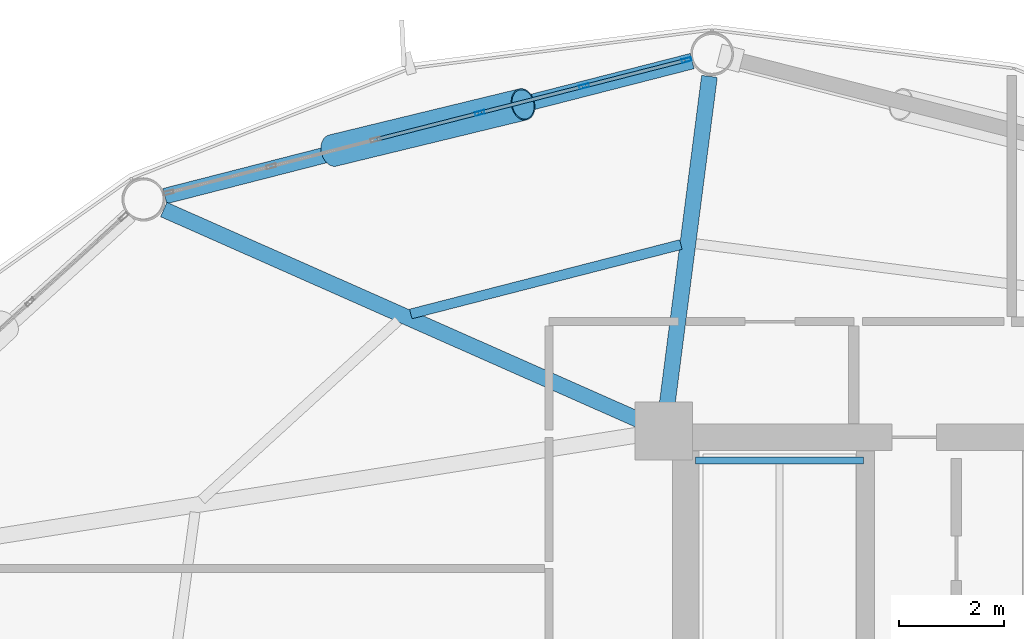
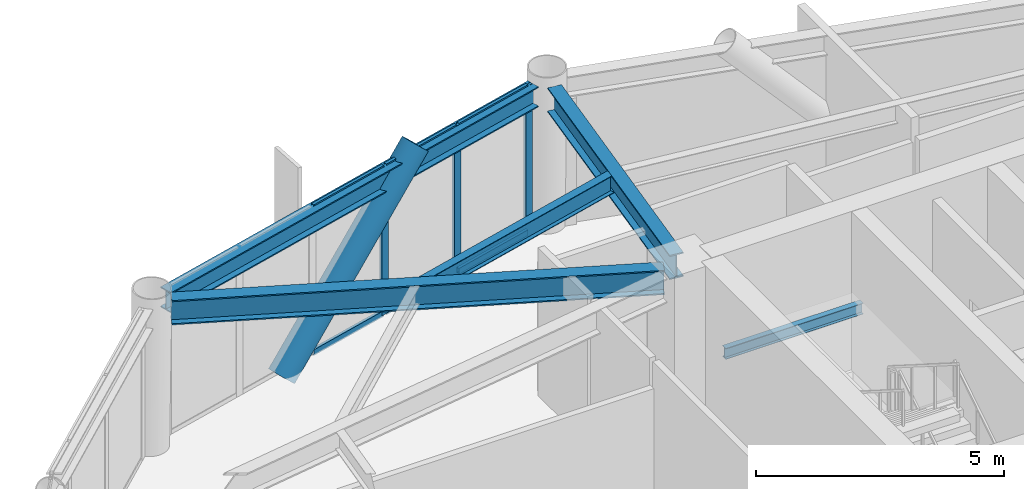
# One storey, part 16 of 25: 10 members, 5 beams, 1 element without a shape of its own.
"""IFC4 building model written with IfcOpenShell, lengths in metres."""

from ifc_helpers import new_model, si_unit, direction, frame, origin, origin_2d, place, context, subcontext, project, spatial, hollow_rectangle, hollow_circle, i_section, extrude, material, layer, layer_set, material_profile, profile_set, type_object, element, aggregate, save


model = new_model("IFC4")

# Units and contexts
model_context = context("Model", 3, precision=1e-05, world=origin(), true_north=direction((0.0, 1.0)))
body_context = subcontext(model_context, "Body", "Model", "MODEL_VIEW")
ifc_project = project(units=[si_unit("LENGTHUNIT", "METRE"), si_unit("AREAUNIT", "SQUARE_METRE"), si_unit("VOLUMEUNIT", "CUBIC_METRE"), si_unit("PLANEANGLEUNIT", "RADIAN"), si_unit("MASSUNIT", "GRAM", prefix="KILO")], contexts=[model_context])

# Site, building, storey
site_placement = place(None, origin())
site = spatial("IfcSite", under=ifc_project, at=site_placement, CompositionType="ELEMENT")
building_placement = place(site_placement, origin())
building = spatial("IfcBuilding", under=site, at=building_placement, Name="Varnakorn Sky Granary", CompositionType="ELEMENT")
storey_placement = place(building_placement, frame((0.0, 0.0, 91.5)))
storey = spatial("IfcBuildingStorey", under=building, at=storey_placement, Name="L22", CompositionType="ELEMENT", Elevation=91.5)

# Beams
ifc_material_1 = material(Name="Steel S355JR", Category="steel")
ifc_material_profile_1 = material_profile(ifc_material_1, i_section(OverallWidth=0.135009765625, OverallDepth=0.27001953125, WebThickness=0.006591796875, FlangeThickness=0.01025390625, at=origin_2d()), Name="IPE 270")
ifc_profile_set_1 = profile_set([ifc_material_profile_1], Name="Steel S355JR")
beam_type_1 = type_object("IfcBeamType", Name="BM-LND-270", PredefinedType="BEAM", material=ifc_profile_set_1)
beam_1_placement = place(storey_placement, frame((-1.820068359375, 12.06005859375, 1.614990234375), z_axis=(1.0, 0.0, 0.0), x_axis=(0.0, 1.0, 0.0)))
element("IfcBeam", 1, at=beam_1_placement, inside=storey, type_object=beam_type_1, Name="Stair ST-1 Landing Trimmer Beam B L22-1", PredefinedType="BEAM", context=body_context, shape_type="SweptSolid", body=[
    extrude(i_section(OverallWidth=0.135009765625, OverallDepth=0.27001953125, WebThickness=0.006591796875, FlangeThickness=0.01025390625, at=origin_2d()), origin(), (0.0, 0.0, 1.0), 3.199951171875),
])
ifc_material_profile_2 = material_profile(ifc_material_1, i_section(OverallWidth=0.300048828125, OverallDepth=0.60009765625, WebThickness=0.015380859375, FlangeThickness=0.030029296875, at=origin_2d()), Name="HE 600 B")
ifc_profile_set_2 = profile_set([ifc_material_profile_2], Name="Steel S355JR")
beam_type_2 = type_object("IfcBeamType", Name="BM-RAD-Z2", PredefinedType="BEAM", material=ifc_profile_set_2)
beam_2_placement = place(storey_placement, frame((-2.3662109375, 13.03662109375, 3.340087890625), z_axis=(0.127875453278, 0.991790234096, 0.0), x_axis=(-0.991790234096, 0.127875453278, 0.0)))
element("IfcBeam", 2, at=beam_2_placement, inside=storey, type_object=beam_type_2, Name="Radial Floor Girder RG04 L22", PredefinedType="BEAM", context=body_context, shape_type="SweptSolid", body=[
    extrude(i_section(OverallWidth=0.300048828125, OverallDepth=0.60009765625, WebThickness=0.015380859375, FlangeThickness=0.030029296875, at=origin_2d()), origin(), (0.0, 0.0, 1.0), 6.382568359375),
])
beam_3_placement = place(storey_placement, frame((-2.803955078125, 12.7900390625, 3.340087890625), z_axis=(-0.914347190965, 0.404931123001, 0.0), x_axis=(-0.404931123001, -0.914347190965, 0.0)))
element("IfcBeam", 3, at=beam_3_placement, inside=storey, type_object=beam_type_2, Name="Radial Floor Girder RG05 L22", PredefinedType="BEAM", context=body_context, shape_type="SweptSolid", body=[
    extrude(i_section(OverallWidth=0.300048828125, OverallDepth=0.60009765625, WebThickness=0.015380859375, FlangeThickness=0.030029296875, at=origin_2d()), origin(), (0.0, 0.0, 1.0), 9.984375),
])
ifc_material_profile_3 = material_profile(ifc_material_1, i_section(OverallWidth=0.18994140625, OverallDepth=0.449951171875, WebThickness=0.009521484375, FlangeThickness=0.0146484375, at=origin_2d()), Name="IPE 450")
ifc_profile_set_3 = profile_set([ifc_material_profile_3], Name="Steel S355JR")
beam_type_3 = type_object("IfcBeamType", Name="BM-SEC-Z2", PredefinedType="BEAM", material=ifc_profile_set_3)
beam_4_placement = place(storey_placement, frame((-2.09375, 16.166748046875, 3.4150390625), z_axis=(-0.968535723502, -0.248874571422, 0.0), x_axis=(0.248874571422, -0.968535723502, 0.0)))
element("IfcBeam", 4, at=beam_4_placement, inside=storey, type_object=beam_type_3, Name="Secondary Floor Chord Beam MSB04 L22", PredefinedType="BEAM", context=body_context, shape_type="SweptSolid", body=[
    extrude(i_section(OverallWidth=0.18994140625, OverallDepth=0.449951171875, WebThickness=0.009521484375, FlangeThickness=0.0146484375, at=origin_2d()), origin(), (0.0, 0.0, 1.0), 5.30615234375),
])
ifc_material_profile_4 = material_profile(ifc_material_1, i_section(OverallWidth=0.300048828125, OverallDepth=0.5, WebThickness=0.014404296875, FlangeThickness=0.028076171875, at=origin_2d()), Name="HE 500 B")
ifc_profile_set_4 = profile_set([ifc_material_profile_4], Name="Steel S355JR")
beam_type_4 = type_object("IfcBeamType", Name="BM-SPD-Z2", PredefinedType="SPANDREL", material=ifc_profile_set_4)
beam_5_placement = place(storey_placement, frame((-1.87939453125, 19.657958984375, 3.389892578125), z_axis=(-0.968728550674, -0.248122943537, 0.0), x_axis=(0.248122943537, -0.968728550674, 0.0)))
element("IfcBeam", 5, at=beam_5_placement, inside=storey, type_object=beam_type_4, Name="Perimeter Spandrel Ring Beam RB04 L22", PredefinedType="SPANDREL", context=body_context, shape_type="SweptSolid", body=[
    extrude(i_section(OverallWidth=0.300048828125, OverallDepth=0.5, WebThickness=0.014404296875, FlangeThickness=0.028076171875, at=origin_2d()), origin(), (0.0, 0.0, 1.0), 10.35595703125),
])

# Curtain wall, members
ifc_material_2 = material(Name="Anodised Bronze Aluminium Alloy 6063-T6", Category="aluminium")
ifc_layer = layer(ifc_material_2, 0.18994140625, Name="Anodised Bronze Aluminium Alloy 6063-T6")
ifc_layer_set = layer_set([ifc_layer], Name="Anodised Bronze Aluminium Alloy 6063-T6")
curtain_wall_type = type_object("IfcCurtainWallType", Name="CW-FRM-1", PredefinedType="USERDEFINED", material=ifc_layer_set)
curtain_wall_placement = place(storey_placement, origin())
curtain_wall = element("IfcCurtainWall", 6, at=curtain_wall_placement, inside=storey, type_object=curtain_wall_type, Name="Unitised Curtain Wall CW3 CW-L22-B04", ObjectType="CURTAIN WALL", PredefinedType="USERDEFINED")
ifc_material_profile_5 = material_profile(ifc_material_2, hollow_rectangle(XDim=0.070068359375, YDim=0.18505859375, WallThickness=0.00390625, at=origin_2d()), Name="ALU MULL 70x185")
ifc_profile_set_5 = profile_set([ifc_material_profile_5], Name="Anodised Bronze Aluminium Alloy 6063-T6")
member_type_1 = type_object("IfcMemberType", Name="CW-FRM-1-MULL", PredefinedType="MULLION", material=ifc_profile_set_5)
member_1_placement = place(storey_placement, frame((-5.919921875, 18.6708984375, 0.0), z_axis=(0.0, 0.0, 1.0), x_axis=(-0.247904232144, 0.96878454348, 0.0)))
member_1 = element("IfcMember", 7, at=member_1_placement, type_object=member_type_1, Name="CW3 mullion 4", PredefinedType="MULLION", context=body_context, shape_type="SweptSolid", body=[
    extrude(hollow_rectangle(XDim=0.070068359375, YDim=0.18505859375, WallThickness=0.00390625, at=origin_2d()), origin(), (0.0, 0.0, 1.0), 3.639892578125),
])
member_2_placement = place(storey_placement, frame((-3.93603515625, 19.1787109375, 0.0), z_axis=(0.0, 0.0, 1.0), x_axis=(-0.247904232144, 0.96878454348, 0.0)))
member_2 = element("IfcMember", 8, at=member_2_placement, type_object=member_type_1, Name="CW3 mullion 5", PredefinedType="MULLION", context=body_context, shape_type="SweptSolid", body=[
    extrude(hollow_rectangle(XDim=0.070068359375, YDim=0.18505859375, WallThickness=0.00390625, at=origin_2d()), origin(), (0.0, 0.0, 1.0), 3.639892578125),
])
member_3_placement = place(storey_placement, frame((-1.98583984375, 19.677734375, 0.0), z_axis=(0.0, 0.0, 1.0), x_axis=(-0.247904232144, 0.96878454348, 0.0)))
member_3 = element("IfcMember", 9, at=member_3_placement, type_object=member_type_1, Name="CW3 mullion 6", PredefinedType="MULLION", context=body_context, shape_type="SweptSolid", body=[
    extrude(hollow_rectangle(XDim=0.070068359375, YDim=0.18505859375, WallThickness=0.00390625, at=origin_2d()), origin(), (0.0, 0.0, 1.0), 3.639892578125),
])
ifc_material_profile_6 = material_profile(ifc_material_2, hollow_rectangle(XDim=0.070068359375, YDim=0.139892578125, WallThickness=0.00341796875, at=origin_2d()), Name="ALU TRAN 70x140")
ifc_profile_set_6 = profile_set([ifc_material_profile_6], Name="Anodised Bronze Aluminium Alloy 6063-T6")
member_type_2 = type_object("IfcMemberType", Name="CW-FRM-1-TRAN", PredefinedType="USERDEFINED", material=ifc_profile_set_6)
member_4_placement = place(storey_placement, frame((-7.8701171875, 18.171875, 0.034912109375), z_axis=(0.968799258379, 0.247846720706, 0.0), x_axis=(-0.247846720706, 0.968799258379, 0.0)))
member_4 = element("IfcMember", 10, at=member_4_placement, type_object=member_type_2, Name="CW3 transom 3.1", ObjectType="TRANSOM", PredefinedType="USERDEFINED", context=body_context, shape_type="SweptSolid", body=[
    extrude(hollow_rectangle(XDim=0.070068359375, YDim=0.139892578125, WallThickness=0.00341796875, at=origin_2d()), origin(), (0.0, 0.0, 1.0), 1.97802734375),
])
member_5_placement = place(storey_placement, frame((-7.8701171875, 18.171875, 3.60498046875), z_axis=(0.968799258379, 0.247846720706, 0.0), x_axis=(-0.247846720706, 0.968799258379, 0.0)))
member_5 = element("IfcMember", 11, at=member_5_placement, type_object=member_type_2, Name="CW3 transom 3.2", ObjectType="TRANSOM", PredefinedType="USERDEFINED", context=body_context, shape_type="SweptSolid", body=[
    extrude(hollow_rectangle(XDim=0.070068359375, YDim=0.139892578125, WallThickness=0.00341796875, at=origin_2d()), origin(), (0.0, 0.0, 1.0), 1.97802734375),
])
member_6_placement = place(storey_placement, frame((-5.885986328125, 18.6796875, 0.034912109375), z_axis=(0.968799258379, 0.247846720706, 0.0), x_axis=(-0.247846720706, 0.968799258379, 0.0)))
member_6 = element("IfcMember", 12, at=member_6_placement, type_object=member_type_2, Name="CW3 transom 4.1", ObjectType="TRANSOM", PredefinedType="USERDEFINED", context=body_context, shape_type="SweptSolid", body=[
    extrude(hollow_rectangle(XDim=0.070068359375, YDim=0.139892578125, WallThickness=0.00341796875, at=origin_2d()), origin(), (0.0, 0.0, 1.0), 1.97802734375),
])
member_7_placement = place(storey_placement, frame((-5.885986328125, 18.6796875, 3.60498046875), z_axis=(0.968799258379, 0.247846720706, 0.0), x_axis=(-0.247846720706, 0.968799258379, 0.0)))
member_7 = element("IfcMember", 13, at=member_7_placement, type_object=member_type_2, Name="CW3 transom 4.2", ObjectType="TRANSOM", PredefinedType="USERDEFINED", context=body_context, shape_type="SweptSolid", body=[
    extrude(hollow_rectangle(XDim=0.070068359375, YDim=0.139892578125, WallThickness=0.00341796875, at=origin_2d()), origin(), (0.0, 0.0, 1.0), 1.97802734375),
])
member_8_placement = place(storey_placement, frame((-3.902099609375, 19.187255859375, 0.034912109375), z_axis=(0.968782354404, 0.247912786672, 0.0), x_axis=(-0.247912786672, 0.968782354404, 0.0)))
member_8 = element("IfcMember", 14, at=member_8_placement, type_object=member_type_2, Name="CW3 transom 5.1", ObjectType="TRANSOM", PredefinedType="USERDEFINED", context=body_context, shape_type="SweptSolid", body=[
    extrude(hollow_rectangle(XDim=0.070068359375, YDim=0.139892578125, WallThickness=0.00341796875, at=origin_2d()), origin(), (0.0, 0.0, 1.0), 1.94287109375),
])
member_9_placement = place(storey_placement, frame((-3.902099609375, 19.187255859375, 3.60498046875), z_axis=(0.968782354404, 0.247912786672, 0.0), x_axis=(-0.247912786672, 0.968782354404, 0.0)))
member_9 = element("IfcMember", 15, at=member_9_placement, type_object=member_type_2, Name="CW3 transom 5.2", ObjectType="TRANSOM", PredefinedType="USERDEFINED", context=body_context, shape_type="SweptSolid", body=[
    extrude(hollow_rectangle(XDim=0.070068359375, YDim=0.139892578125, WallThickness=0.00341796875, at=origin_2d()), origin(), (0.0, 0.0, 1.0), 1.94287109375),
])
aggregate(curtain_wall, [member_1, member_2, member_3, member_4, member_5, member_6, member_7, member_8, member_9])

# Member
ifc_material_3 = material(Name="Steel S460M", Category="steel")
ifc_material_profile_7 = material_profile(ifc_material_3, hollow_circle(Radius=0.304931640625, WallThickness=0.022216796875, at=origin_2d()), Name="CHS 610x22")
ifc_profile_set_7 = profile_set([ifc_material_profile_7], Name="Steel S460M")
member_type_3 = type_object("IfcMemberType", Name="MB-DIAG-T1", PredefinedType="BRACE", material=ifc_profile_set_7)
member_10_placement = place(storey_placement, frame((-8.716064453125, 17.955322265625, -0.1298828125), z_axis=(0.669344297662, 0.162459577913, 0.724972479982), x_axis=(-0.23586644361, 0.971785480844, 0.0)))
element("IfcMember", 16, at=member_10_placement, inside=storey, type_object=member_type_3, Name="Perimeter CHS Diagrid Brace DG04 L22", PredefinedType="BRACE", context=body_context, shape_type="SweptSolid", body=[
    extrude(hollow_circle(Radius=0.304931640625, WallThickness=0.022216796875, at=origin_2d()), origin(), (0.0, 0.0, 1.0), 5.406982421875),
])

save(model, "model.ifc")
